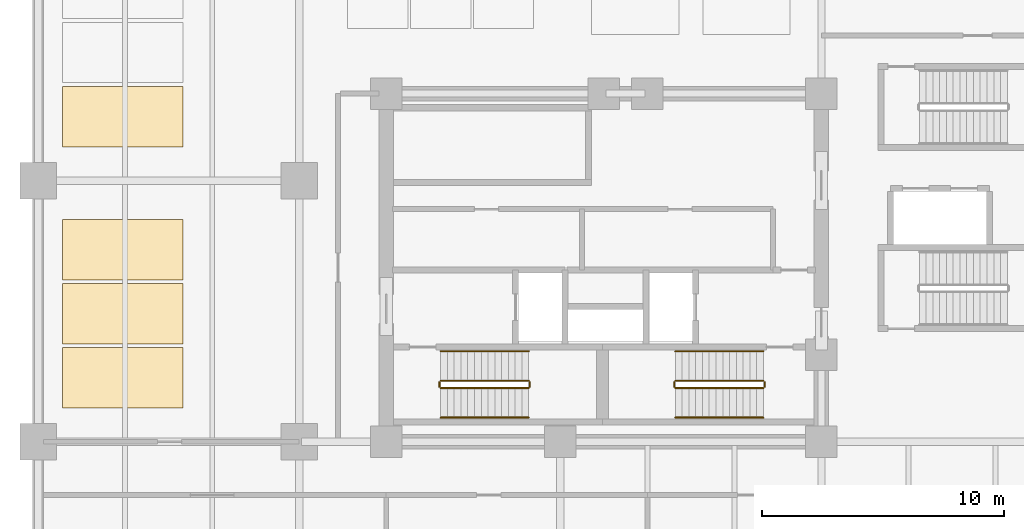
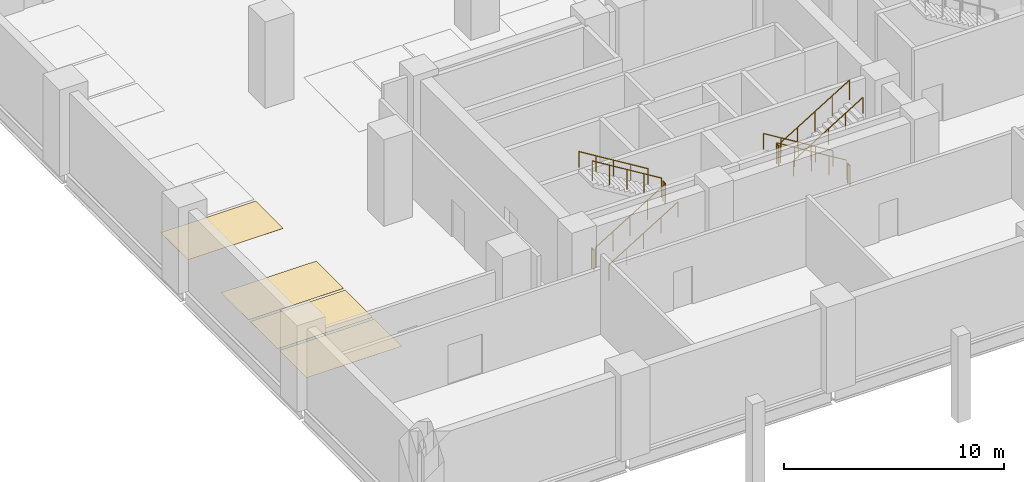
# One storey, part 6 of 8: 12 railings, 4 coverings.
"""IFC4 building model written with IfcOpenShell, lengths in metres."""

import ifcopenshell
import ifcopenshell.guid

model = None  # the IFC model being written
_history = None  # IfcOwnerHistory: only IFC2X3 demands one
_inside = {}  # id of a spatial element -> (the spatial element, [elements in it])
_under = {}  # id of a project, library or spatial element -> (it, [spatial elements below it])
_declared = {}  # id of a project -> (the project, [libraries it declares])
_typed = {}  # id of a type object -> (the type object, [elements of that type])
_made_of = {}  # id of a material, layer set ... -> (it, [elements and type objects made of it])


def new_model(schema):
    """Start an empty IFC model of exactly this schema.

    Asked for "IFC4X3", IfcOpenShell would pick the latest addendum, in which some entities
    have other attributes; the version numbers below select the first issue.
    IFC2X3 requires an IfcOwnerHistory on every rooted entity: one is made here for all.
    """
    global model, _history
    if schema == "IFC4X3":
        model = ifcopenshell.file(schema_version=(4, 3, 0, 0))
    else:
        model = ifcopenshell.file(schema=schema)
    _inside.clear()
    _under.clear()
    _declared.clear()
    _typed.clear()
    _made_of.clear()
    _history = None
    if model.schema == "IFC2X3":
        org = make("IfcOrganization", Name="unknown")
        user = make(
            "IfcPersonAndOrganization",
            ThePerson=make("IfcPerson", FamilyName="unknown"),
            TheOrganization=org,
        )
        app = make(
            "IfcApplication",
            ApplicationDeveloper=org,
            Version="unknown",
            ApplicationFullName="unknown",
            ApplicationIdentifier="unknown",
        )
        _history = make(
            "IfcOwnerHistory",
            OwningUser=user,
            OwningApplication=app,
            ChangeAction="ADDED",
            CreationDate=0,
        )
    return model


def make(cls, **values):
    """One entity of the class cls with the attributes given. An attribute that is None is left unset."""
    return model.create_entity(
        cls, **{name: value for name, value in values.items() if value is not None}
    )


def rooted(cls, **values):
    """An entity with a GlobalId (a new one), such as an element, a storey or a relation."""
    return make(cls, GlobalId=ifcopenshell.guid.new(), OwnerHistory=_history, **values)


def si_unit(unit_type, name, prefix=None):
    """IfcSIUnit, for example si_unit("LENGTHUNIT", "METRE", prefix="MILLI")."""
    return make("IfcSIUnit", UnitType=unit_type, Prefix=prefix, Name=name)


def assignment(units):
    """IfcUnitAssignment: the units of a project."""
    return None if units is None else make("IfcUnitAssignment", Units=units)


def point(xyz):
    """IfcCartesianPoint."""
    return None if xyz is None else make("IfcCartesianPoint", Coordinates=xyz)


def direction(xyz):
    """IfcDirection."""
    return None if xyz is None else make("IfcDirection", DirectionRatios=xyz)


def frame(location, z_axis=None, x_axis=None):
    """IfcAxis2Placement3D, a coordinate frame: its origin and axes. An axis left out is left unset."""
    return make(
        "IfcAxis2Placement3D",
        Location=point(location),
        Axis=direction(z_axis),
        RefDirection=direction(x_axis),
    )


def frame_2d(location, x_axis=None):
    """IfcAxis2Placement2D, a coordinate frame in the plane: its origin and x axis."""
    return make(
        "IfcAxis2Placement2D", Location=point(location), RefDirection=direction(x_axis)
    )


def origin():
    """The frame at (0, 0, 0) with its axes left unset."""
    return frame((0.0, 0.0, 0.0))


def origin_2d():
    """The frame at (0, 0) in the plane with its x axis left unset."""
    return frame_2d((0.0, 0.0))


def place(relative_to, where):
    """IfcLocalPlacement: puts the frame where relative to a parent placement (None: the world)."""
    return make(
        "IfcLocalPlacement", PlacementRelTo=relative_to, RelativePlacement=where
    )


def context(
    kind, dimensions, precision=None, world=None, true_north=None, identifier=None
):
    """IfcGeometricRepresentationContext, for example the 3D "Model" context."""
    return make(
        "IfcGeometricRepresentationContext",
        ContextIdentifier=identifier,
        ContextType=kind,
        CoordinateSpaceDimension=dimensions,
        Precision=precision,
        WorldCoordinateSystem=world,
        TrueNorth=true_north,
    )


def subcontext(parent, identifier, kind, view, scale=None):
    """IfcGeometricRepresentationSubContext, for example "Body" below "Model"."""
    return make(
        "IfcGeometricRepresentationSubContext",
        ContextIdentifier=identifier,
        ContextType=kind,
        ParentContext=parent,
        TargetScale=scale,
        TargetView=view,
    )


def project(units=None, contexts=None):
    """IfcProject with its units and contexts."""
    return rooted(
        "IfcProject",
        Name="project",
        RepresentationContexts=contexts,
        UnitsInContext=assignment(units),
    )


def spatial(cls, under=None, at=None, **own):
    """A site, building, storey or space (cls), placed at a placement, below another one or the project."""
    s = rooted(cls, ObjectPlacement=at, **own)
    if under is not None:
        _under.setdefault(under.id(), (under, []))[1].append(s)
    return s


def polyline(points):
    """IfcPolyline through the points."""
    return make("IfcPolyline", Points=[point(p) for p in points])


def profile(cls, at=None, kind="AREA", **sizes):
    """A parametric profile (cls). Its sizes go by their IFC names, for example OverallWidth=200.0."""
    return make(cls, ProfileType=kind, Position=at, **sizes)


def circle(**sizes):
    """IfcCircleProfileDef."""
    return profile("IfcCircleProfileDef", **sizes)


def outline(outer, holes=None, kind="AREA"):
    """IfcArbitraryClosedProfileDef: a profile drawn as a closed curve; with holes, ...WithVoids."""
    if holes is None:
        return make("IfcArbitraryClosedProfileDef", ProfileType=kind, OuterCurve=outer)
    return make(
        "IfcArbitraryProfileDefWithVoids",
        ProfileType=kind,
        OuterCurve=outer,
        InnerCurves=holes,
    )


def extrude(swept, where, along, depth):
    """IfcExtrudedAreaSolid: the profile swept, set in the frame where, extruded along a direction by depth."""
    return make(
        "IfcExtrudedAreaSolid",
        SweptArea=swept,
        Position=where,
        ExtrudedDirection=direction(along),
        Depth=depth,
    )


def shape(context_of_items, identifier, shape_type, items):
    """IfcShapeRepresentation: the items that make up one representation, for example the "Body"."""
    return make(
        "IfcShapeRepresentation",
        ContextOfItems=context_of_items,
        RepresentationIdentifier=identifier,
        RepresentationType=shape_type,
        Items=items,
    )


def material(Name=None, Category=None):
    """IfcMaterial."""
    return make("IfcMaterial", Name=Name, Category=Category)


def layer(
    of_material, thickness, ventilated=None, Name=None, Category=None, Priority=None
):
    """IfcMaterialLayer: one layer of a wall or slab, of a material (None: an air gap)."""
    return make(
        "IfcMaterialLayer",
        Material=of_material,
        LayerThickness=thickness,
        IsVentilated=ventilated,
        Name=Name,
        Category=Category,
        Priority=Priority,
    )


def layer_set(layers, Name=None):
    """IfcMaterialLayerSet."""
    return make("IfcMaterialLayerSet", MaterialLayers=layers, LayerSetName=Name)


def made_of(thing, what):
    """Note that an element or type object is made of a material, layer set ...; save() writes the relation."""
    if what is not None:
        _made_of.setdefault(what.id(), (what, []))[1].append(thing)
    return thing


def type_object(cls, material=None, **own):
    """A type object (cls), such as IfcWallType, which elements share."""
    return made_of(rooted(cls, **own), material)


def element(
    cls,
    number,
    at=None,
    inside=None,
    cuts=None,
    type_object=None,
    material=None,
    context=None,
    identifier="Body",
    shape_type=None,
    held_by="IfcProductDefinitionShape",
    body=None,
    shapes=None,
    **own,
):
    """One element of the class cls, such as IfcWall. Its Tag is "e" and its number.

    at: its placement. inside: the storey or other place that contains it. cuts: it is an
    opening in that element (IfcRelVoidsElement). A single representation is given by context,
    identifier, shape_type and body (its items); several are given by shapes. held_by: the class
    of the entity that holds the representations. save() writes the other relations.
    """
    e = rooted(cls, Tag="e%d" % number, ObjectPlacement=at, **own)
    if body is not None:
        shapes = [shape(context, identifier, shape_type, body)]
    if shapes is not None:
        e.Representation = make(held_by, Representations=shapes)
    if inside is not None:
        _inside.setdefault(inside.id(), (inside, []))[1].append(e)
    if cuts is not None:
        rooted(
            "IfcRelVoidsElement", RelatingBuildingElement=cuts, RelatedOpeningElement=e
        )
    if type_object is not None:
        _typed.setdefault(type_object.id(), (type_object, []))[1].append(e)
    return made_of(e, material)


def aggregate(whole, parts):
    """IfcRelAggregates: a whole, such as a stair, and the parts it consists of."""
    return rooted("IfcRelAggregates", RelatingObject=whole, RelatedObjects=parts)


def save(model, path):
    """Write the relations noted so far, then the file.

    IfcRelAggregates (storeys below a building ...), IfcRelContainedInSpatialStructure (elements
    in a storey), IfcRelDefinesByType, IfcRelAssociatesMaterial and IfcRelDeclares: one each for
    every whole, place, type object, material and project.
    """
    for whole, parts in _under.values():
        aggregate(whole, parts)
    for where, things in _inside.values():
        rooted(
            "IfcRelContainedInSpatialStructure",
            RelatedElements=things,
            RelatingStructure=where,
        )
    for kind, things in _typed.values():
        rooted("IfcRelDefinesByType", RelatedObjects=things, RelatingType=kind)
    for what, things in _made_of.values():
        rooted("IfcRelAssociatesMaterial", RelatedObjects=things, RelatingMaterial=what)
    for by, libraries in _declared.values():
        rooted("IfcRelDeclares", RelatingContext=by, RelatedDefinitions=libraries)
    model.write(path)


model = new_model("IFC4")

# Units and contexts
model_context = context("Model", 3, precision=1e-05, world=origin(), true_north=direction((0.0, 1.0)))
body_context = subcontext(model_context, "Body", "Model", "MODEL_VIEW")
ifc_project = project(units=[si_unit("LENGTHUNIT", "METRE"), si_unit("AREAUNIT", "SQUARE_METRE"), si_unit("VOLUMEUNIT", "CUBIC_METRE"), si_unit("PLANEANGLEUNIT", "RADIAN"), si_unit("MASSUNIT", "GRAM", prefix="KILO")], contexts=[model_context])

# Site, building, storey
site_placement = place(None, origin())
site = spatial("IfcSite", under=ifc_project, at=site_placement, CompositionType="ELEMENT")
building_placement = place(site_placement, origin())
building = spatial("IfcBuilding", under=site, at=building_placement, Name="Solnavia Interchange Tower", CompositionType="ELEMENT")
storey_placement = place(building_placement, frame((0.0, 0.0, -4.800048828125)))
storey = spatial("IfcBuildingStorey", under=building, at=storey_placement, Name="B01", CompositionType="ELEMENT", Elevation=-4.800048828125)

# Coverings
ifc_material_1 = material(Name="Epoxy Car Park Bay Marking", Category="polymer")
ifc_layer = layer(ifc_material_1, 0.0048828125)
ifc_layer_set = layer_set([ifc_layer], Name="Epoxy Car Park Bay Marking")
covering_type = type_object("IfcCoveringType", Name="Covering-ParkingBay-5", PredefinedType="FLOORING", material=ifc_layer_set)
covering_1_placement = place(storey_placement, origin())
element("IfcCovering", 1, at=covering_1_placement, inside=storey, type_object=covering_type, Name="PKB-B01-W01 Standard parking bay", PredefinedType="FLOORING", context=body_context, shape_type="SweptSolid", body=[
    extrude(outline(polyline([(1.0, 12.199951171875), (6.0, 12.199951171875), (6.0, 14.699951171875), (1.0, 14.699951171875), (1.0, 12.199951171875)])), origin(), (0.0, 0.0, 1.0), 0.005126953125),
])
covering_2_placement = place(storey_placement, origin())
element("IfcCovering", 2, at=covering_2_placement, inside=storey, type_object=covering_type, Name="PKB-B01-W02 Standard parking bay", PredefinedType="FLOORING", context=body_context, shape_type="SweptSolid", body=[
    extrude(outline(polyline([(1.0, 14.85009765625), (6.0, 14.85009765625), (6.0, 17.35009765625), (1.0, 17.35009765625), (1.0, 14.85009765625)])), origin(), (0.0, 0.0, 1.0), 0.005126953125),
])
covering_3_placement = place(storey_placement, origin())
element("IfcCovering", 3, at=covering_3_placement, inside=storey, type_object=covering_type, Name="PKB-B01-W03 Standard parking bay", PredefinedType="FLOORING", context=body_context, shape_type="SweptSolid", body=[
    extrude(outline(polyline([(1.0, 17.5), (6.0, 17.5), (6.0, 20.0), (1.0, 20.0), (1.0, 17.5)])), origin(), (0.0, 0.0, 1.0), 0.005126953125),
])
covering_4_placement = place(storey_placement, origin())
element("IfcCovering", 4, at=covering_4_placement, inside=storey, type_object=covering_type, Name="PKB-B01-W04 Standard parking bay", PredefinedType="FLOORING", context=body_context, shape_type="SweptSolid", body=[
    extrude(outline(polyline([(1.0, 23.0), (6.0, 23.0), (6.0, 25.5), (1.0, 25.5), (1.0, 23.0)])), origin(), (0.0, 0.0, 1.0), 0.005126953125),
])

# Railings
ifc_material_2 = material(Name="Painted Steel Balustrade", Category="steel")
railing_type_1 = type_object("IfcRailingType", Name="Railing-StairGuard-1100", PredefinedType="GUARDRAIL", material=ifc_material_2)
railing_1_placement = place(storey_placement, frame((16.64990234375, 13.02001953125, 0.17138671875)))
element("IfcRailing", 5, at=railing_1_placement, inside=storey, type_object=railing_type_1, Name="B01 ST-1 stair guard 1", PredefinedType="GUARDRAIL", context=body_context, shape_type="SweptSolid", body=[
    extrude(circle(Radius=0.02392578125, at=origin_2d()), frame((0.0, 0.0, 1.09619140625), z_axis=(0.852840387347, 0.0, 0.522171689878), x_axis=(0.0, 1.0, 0.0)), (0.0, 0.0, 1.0), 4.268310546875),
    extrude(circle(Radius=0.02099609375, at=origin_2d()), origin(), (0.0, 0.0, 1.0), 1.072021484375),
    extrude(circle(Radius=0.02099609375, at=origin_2d()), frame((0.91015625, 0.0, 0.55712890625)), (0.0, 0.0, 1.0), 1.072021484375),
    extrude(circle(Radius=0.02099609375, at=origin_2d()), frame((1.820068359375, 0.0, 1.1142578125)), (0.0, 0.0, 1.0), 1.072021484375),
    extrude(circle(Radius=0.02099609375, at=origin_2d()), frame((2.72998046875, 0.0, 1.671630859375)), (0.0, 0.0, 1.0), 1.072021484375),
    extrude(circle(Radius=0.02099609375, at=origin_2d()), frame((3.64013671875, 0.0, 2.228759765625)), (0.0, 0.0, 1.0), 1.072021484375),
])
railing_2_placement = place(storey_placement, frame((20.340087890625, 13.070068359375, 2.400146484375)))
element("IfcRailing", 6, at=railing_2_placement, inside=storey, type_object=railing_type_1, Name="B01 ST-1 stair guard 2", PredefinedType="GUARDRAIL", context=body_context, shape_type="SweptSolid", body=[
    extrude(circle(Radius=0.02392578125, at=origin_2d()), frame((0.0, 0.0, 1.09619140625), z_axis=(0.0, 1.0, 0.0), x_axis=(-1.0, 0.0, 0.0)), (0.0, 0.0, 1.0), 0.199951171875),
    extrude(circle(Radius=0.02099609375, at=origin_2d()), origin(), (0.0, 0.0, 1.0), 1.072021484375),
    extrude(circle(Radius=0.02099609375, at=origin_2d()), frame((0.0, 0.199951171875, 0.0)), (0.0, 0.0, 1.0), 1.072021484375),
])
railing_3_placement = place(storey_placement, frame((20.2900390625, 13.320068359375, 2.571533203125)))
element("IfcRailing", 7, at=railing_3_placement, inside=storey, type_object=railing_type_1, Name="B01 ST-1 stair guard 3", PredefinedType="GUARDRAIL", context=body_context, shape_type="SweptSolid", body=[
    extrude(circle(Radius=0.02392578125, at=origin_2d()), frame((0.0, 0.0, 1.09619140625), z_axis=(-0.852865859571, 0.0, 0.52213008492), x_axis=(0.0, -1.0, 0.0)), (0.0, 0.0, 1.0), 4.26806640625),
    extrude(circle(Radius=0.02099609375, at=origin_2d()), origin(), (0.0, 0.0, 1.0), 1.072021484375),
    extrude(circle(Radius=0.02099609375, at=origin_2d()), frame((-0.91015625, 0.0, 0.55712890625)), (0.0, 0.0, 1.0), 1.072021484375),
    extrude(circle(Radius=0.02099609375, at=origin_2d()), frame((-1.820068359375, 0.0, 1.1142578125)), (0.0, 0.0, 1.0), 1.072021484375),
    extrude(circle(Radius=0.02099609375, at=origin_2d()), frame((-2.72998046875, 0.0, 1.67138671875)), (0.0, 0.0, 1.0), 1.072021484375),
    extrude(circle(Radius=0.02099609375, at=origin_2d()), frame((-3.64013671875, 0.0, 2.228515625)), (0.0, 0.0, 1.0), 1.072021484375),
])
railing_4_placement = place(storey_placement, frame((16.60009765625, 13.070068359375, 0.0)))
element("IfcRailing", 8, at=railing_4_placement, inside=storey, type_object=railing_type_1, Name="B01 ST-1 stair guard 4", PredefinedType="GUARDRAIL", context=body_context, shape_type="SweptSolid", body=[
    extrude(circle(Radius=0.02392578125, at=origin_2d()), frame((0.0, 0.0, 1.09619140625), z_axis=(0.0, 1.0, 0.0), x_axis=(-1.0, 0.0, 0.0)), (0.0, 0.0, 1.0), 0.199951171875),
    extrude(circle(Radius=0.02099609375, at=origin_2d()), origin(), (0.0, 0.0, 1.0), 1.072021484375),
    extrude(circle(Radius=0.02099609375, at=origin_2d()), frame((0.0, 0.199951171875, 0.0)), (0.0, 0.0, 1.0), 1.072021484375),
])
railing_5_placement = place(storey_placement, frame((30.0, 13.320068359375, 0.17138671875)))
element("IfcRailing", 9, at=railing_5_placement, inside=storey, type_object=railing_type_1, Name="B01 ST-2 stair guard 1", PredefinedType="GUARDRAIL", context=body_context, shape_type="SweptSolid", body=[
    extrude(circle(Radius=0.02392578125, at=origin_2d()), frame((0.0, 0.0, 1.09619140625), z_axis=(-0.852824790078, 0.0, 0.522197163366), x_axis=(0.0, -1.0, 0.0)), (0.0, 0.0, 1.0), 4.26806640625),
    extrude(circle(Radius=0.02099609375, at=origin_2d()), origin(), (0.0, 0.0, 1.0), 1.072021484375),
    extrude(circle(Radius=0.02099609375, at=origin_2d()), frame((-0.909912109375, 0.0, 0.55712890625)), (0.0, 0.0, 1.0), 1.072021484375),
    extrude(circle(Radius=0.02099609375, at=origin_2d()), frame((-1.81982421875, 0.0, 1.1142578125)), (0.0, 0.0, 1.0), 1.072021484375),
    extrude(circle(Radius=0.02099609375, at=origin_2d()), frame((-2.72998046875, 0.0, 1.671630859375)), (0.0, 0.0, 1.0), 1.072021484375),
    extrude(circle(Radius=0.02099609375, at=origin_2d()), frame((-3.639892578125, 0.0, 2.228759765625)), (0.0, 0.0, 1.0), 1.072021484375),
])
railing_6_placement = place(storey_placement, frame((26.31005859375, 13.27001953125, 2.400146484375)))
element("IfcRailing", 10, at=railing_6_placement, inside=storey, type_object=railing_type_1, Name="B01 ST-2 stair guard 2", PredefinedType="GUARDRAIL", context=body_context, shape_type="SweptSolid", body=[
    extrude(circle(Radius=0.02392578125, at=origin_2d()), frame((0.0, 0.0, 1.09619140625), z_axis=(0.0, -1.0, 0.0), x_axis=(1.0, 0.0, 0.0)), (0.0, 0.0, 1.0), 0.199951171875),
    extrude(circle(Radius=0.02099609375, at=origin_2d()), origin(), (0.0, 0.0, 1.0), 1.072021484375),
    extrude(circle(Radius=0.02099609375, at=origin_2d()), frame((0.0, -0.199951171875, 0.0)), (0.0, 0.0, 1.0), 1.072021484375),
])
railing_7_placement = place(storey_placement, frame((26.360107421875, 13.02001953125, 2.571533203125)))
element("IfcRailing", 11, at=railing_7_placement, inside=storey, type_object=railing_type_1, Name="B01 ST-2 stair guard 3", PredefinedType="GUARDRAIL", context=body_context, shape_type="SweptSolid", body=[
    extrude(circle(Radius=0.02392578125, at=origin_2d()), frame((0.0, 0.0, 1.09619140625), z_axis=(0.852850264322, 0.0, 0.5221555579), x_axis=(0.0, 1.0, 0.0)), (0.0, 0.0, 1.0), 4.267822265625),
    extrude(circle(Radius=0.02099609375, at=origin_2d()), origin(), (0.0, 0.0, 1.0), 1.072021484375),
    extrude(circle(Radius=0.02099609375, at=origin_2d()), frame((0.909912109375, 0.0, 0.55712890625)), (0.0, 0.0, 1.0), 1.072021484375),
    extrude(circle(Radius=0.02099609375, at=origin_2d()), frame((1.81982421875, 0.0, 1.1142578125)), (0.0, 0.0, 1.0), 1.072021484375),
    extrude(circle(Radius=0.02099609375, at=origin_2d()), frame((2.72998046875, 0.0, 1.67138671875)), (0.0, 0.0, 1.0), 1.072021484375),
    extrude(circle(Radius=0.02099609375, at=origin_2d()), frame((3.639892578125, 0.0, 2.228515625)), (0.0, 0.0, 1.0), 1.072021484375),
])
railing_8_placement = place(storey_placement, frame((30.050048828125, 13.27001953125, 0.0)))
element("IfcRailing", 12, at=railing_8_placement, inside=storey, type_object=railing_type_1, Name="B01 ST-2 stair guard 4", PredefinedType="GUARDRAIL", context=body_context, shape_type="SweptSolid", body=[
    extrude(circle(Radius=0.02392578125, at=origin_2d()), frame((0.0, 0.0, 1.09619140625), z_axis=(0.0, -1.0, 0.0), x_axis=(1.0, 0.0, 0.0)), (0.0, 0.0, 1.0), 0.199951171875),
    extrude(circle(Radius=0.02099609375, at=origin_2d()), origin(), (0.0, 0.0, 1.0), 1.072021484375),
    extrude(circle(Radius=0.02099609375, at=origin_2d()), frame((0.0, -0.199951171875, 0.0)), (0.0, 0.0, 1.0), 1.072021484375),
])
ifc_material_3 = material(Name="Brushed Stainless Steel", Category="steel")
railing_type_2 = type_object("IfcRailingType", Name="Railing-StairHandrail-900", PredefinedType="HANDRAIL", material=ifc_material_3)
railing_9_placement = place(storey_placement, frame((16.64990234375, 11.800048828125, 0.17138671875)))
element("IfcRailing", 13, at=railing_9_placement, inside=storey, type_object=railing_type_2, Name="B01 ST-1 stair handrail 1", PredefinedType="HANDRAIL", context=body_context, shape_type="SweptSolid", body=[
    extrude(circle(Radius=0.02392578125, at=origin_2d()), frame((0.0, 0.0, 0.8759765625), z_axis=(0.852840387347, 0.0, 0.522171689878), x_axis=(0.0, 1.0, 0.0)), (0.0, 0.0, 1.0), 4.268310546875),
    extrude(circle(Radius=0.02099609375, at=origin_2d()), origin(), (0.0, 0.0, 1.0), 0.851806640625),
    extrude(circle(Radius=0.02099609375, at=origin_2d()), frame((0.91015625, 0.0, 0.55712890625)), (0.0, 0.0, 1.0), 0.851806640625),
    extrude(circle(Radius=0.02099609375, at=origin_2d()), frame((1.820068359375, 0.0, 1.1142578125)), (0.0, 0.0, 1.0), 0.851806640625),
    extrude(circle(Radius=0.02099609375, at=origin_2d()), frame((2.72998046875, 0.0, 1.671630859375)), (0.0, 0.0, 1.0), 0.851806640625),
    extrude(circle(Radius=0.02099609375, at=origin_2d()), frame((3.64013671875, 0.0, 2.228759765625)), (0.0, 0.0, 1.0), 0.851806640625),
])
railing_10_placement = place(storey_placement, frame((20.2900390625, 14.5400390625, 2.571533203125)))
element("IfcRailing", 14, at=railing_10_placement, inside=storey, type_object=railing_type_2, Name="B01 ST-1 stair handrail 2", PredefinedType="HANDRAIL", context=body_context, shape_type="SweptSolid", body=[
    extrude(circle(Radius=0.02392578125, at=origin_2d()), frame((0.0, 0.0, 0.8759765625), z_axis=(-0.852865859571, 0.0, 0.52213008492), x_axis=(0.0, -1.0, 0.0)), (0.0, 0.0, 1.0), 4.26806640625),
    extrude(circle(Radius=0.02099609375, at=origin_2d()), origin(), (0.0, 0.0, 1.0), 0.851806640625),
    extrude(circle(Radius=0.02099609375, at=origin_2d()), frame((-0.91015625, 0.0, 0.55712890625)), (0.0, 0.0, 1.0), 0.851806640625),
    extrude(circle(Radius=0.02099609375, at=origin_2d()), frame((-1.820068359375, 0.0, 1.1142578125)), (0.0, 0.0, 1.0), 0.851806640625),
    extrude(circle(Radius=0.02099609375, at=origin_2d()), frame((-2.72998046875, 0.0, 1.67138671875)), (0.0, 0.0, 1.0), 0.851806640625),
    extrude(circle(Radius=0.02099609375, at=origin_2d()), frame((-3.64013671875, 0.0, 2.228515625)), (0.0, 0.0, 1.0), 0.851806640625),
])
railing_11_placement = place(storey_placement, frame((30.0, 14.5400390625, 0.17138671875)))
element("IfcRailing", 15, at=railing_11_placement, inside=storey, type_object=railing_type_2, Name="B01 ST-2 stair handrail 1", PredefinedType="HANDRAIL", context=body_context, shape_type="SweptSolid", body=[
    extrude(circle(Radius=0.02392578125, at=origin_2d()), frame((0.0, 0.0, 0.8759765625), z_axis=(-0.852824790078, 0.0, 0.522197163366), x_axis=(0.0, -1.0, 0.0)), (0.0, 0.0, 1.0), 4.26806640625),
    extrude(circle(Radius=0.02099609375, at=origin_2d()), origin(), (0.0, 0.0, 1.0), 0.851806640625),
    extrude(circle(Radius=0.02099609375, at=origin_2d()), frame((-0.909912109375, 0.0, 0.55712890625)), (0.0, 0.0, 1.0), 0.851806640625),
    extrude(circle(Radius=0.02099609375, at=origin_2d()), frame((-1.81982421875, 0.0, 1.1142578125)), (0.0, 0.0, 1.0), 0.851806640625),
    extrude(circle(Radius=0.02099609375, at=origin_2d()), frame((-2.72998046875, 0.0, 1.671630859375)), (0.0, 0.0, 1.0), 0.851806640625),
    extrude(circle(Radius=0.02099609375, at=origin_2d()), frame((-3.639892578125, 0.0, 2.228759765625)), (0.0, 0.0, 1.0), 0.851806640625),
])
railing_12_placement = place(storey_placement, frame((26.360107421875, 11.800048828125, 2.571533203125)))
element("IfcRailing", 16, at=railing_12_placement, inside=storey, type_object=railing_type_2, Name="B01 ST-2 stair handrail 2", PredefinedType="HANDRAIL", context=body_context, shape_type="SweptSolid", body=[
    extrude(circle(Radius=0.02392578125, at=origin_2d()), frame((0.0, 0.0, 0.8759765625), z_axis=(0.852850264322, 0.0, 0.5221555579), x_axis=(0.0, 1.0, 0.0)), (0.0, 0.0, 1.0), 4.267822265625),
    extrude(circle(Radius=0.02099609375, at=origin_2d()), origin(), (0.0, 0.0, 1.0), 0.851806640625),
    extrude(circle(Radius=0.02099609375, at=origin_2d()), frame((0.909912109375, 0.0, 0.55712890625)), (0.0, 0.0, 1.0), 0.851806640625),
    extrude(circle(Radius=0.02099609375, at=origin_2d()), frame((1.81982421875, 0.0, 1.1142578125)), (0.0, 0.0, 1.0), 0.851806640625),
    extrude(circle(Radius=0.02099609375, at=origin_2d()), frame((2.72998046875, 0.0, 1.67138671875)), (0.0, 0.0, 1.0), 0.851806640625),
    extrude(circle(Radius=0.02099609375, at=origin_2d()), frame((3.639892578125, 0.0, 2.228515625)), (0.0, 0.0, 1.0), 0.851806640625),
])

save(model, "model.ifc")
